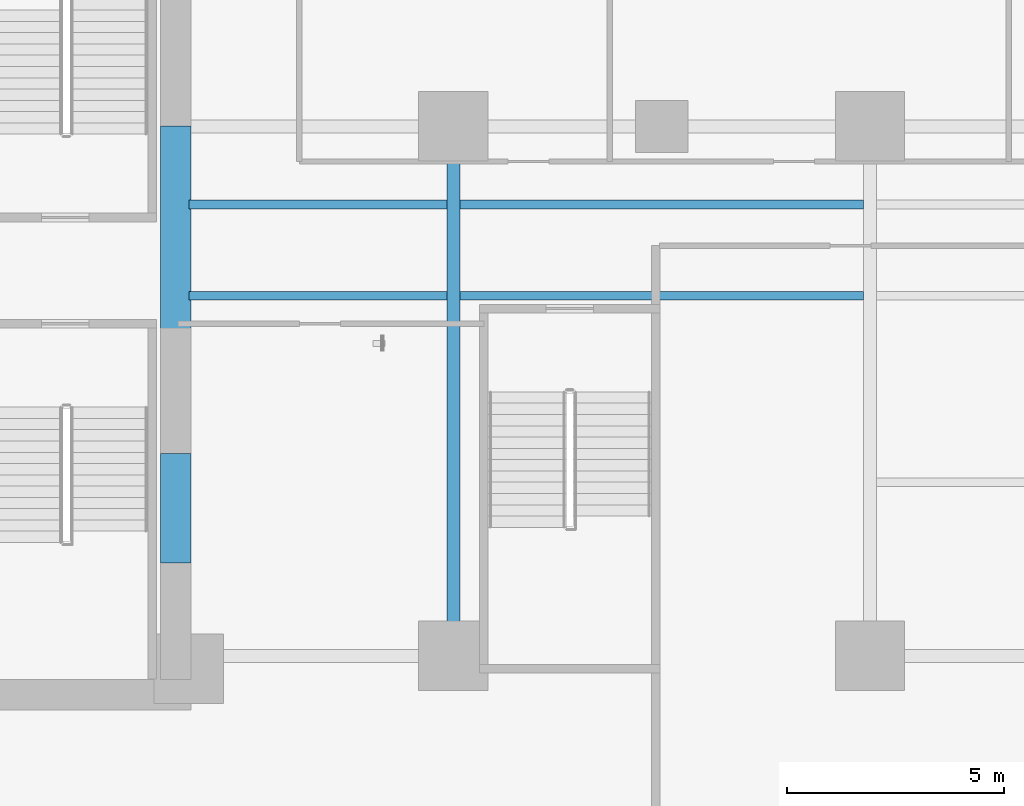
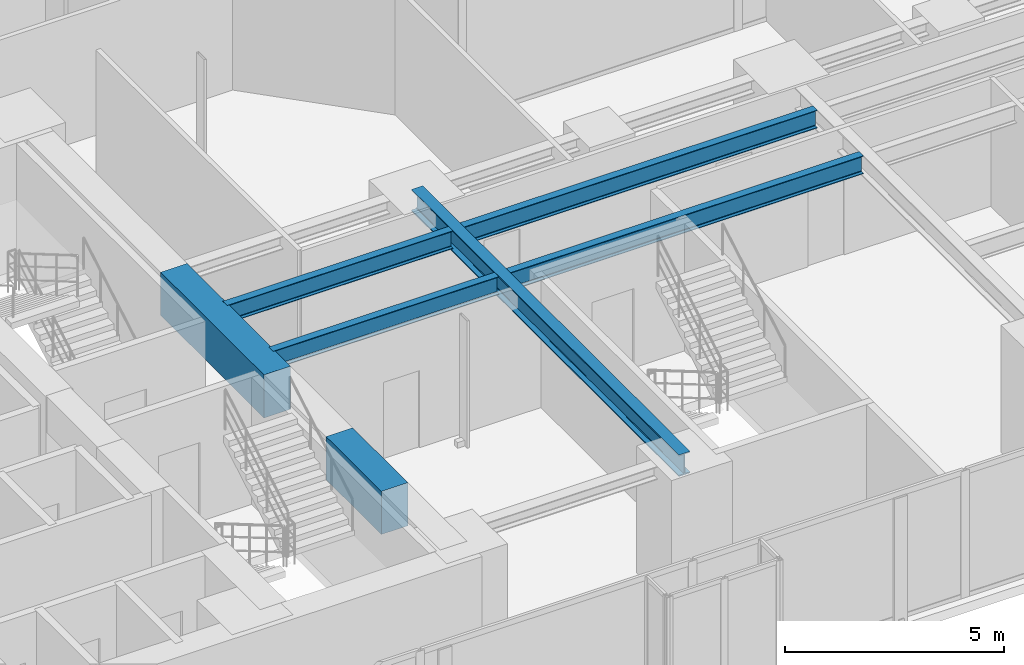
# One storey, part 5 of 26: 7 beams.
"""IFC4 building model written with IfcOpenShell, lengths in metres."""

from ifc_helpers import new_model, si_unit, direction, frame, origin, origin_2d, place, context, subcontext, project, spatial, rectangle, i_section, extrude, material, material_profile, profile_set, type_object, element, save


model = new_model("IFC4")

# Units and contexts
model_context = context("Model", 3, precision=1e-05, world=origin(), true_north=direction((0.0, 1.0)))
body_context = subcontext(model_context, "Body", "Model", "MODEL_VIEW")
ifc_project = project(units=[si_unit("LENGTHUNIT", "METRE"), si_unit("AREAUNIT", "SQUARE_METRE"), si_unit("VOLUMEUNIT", "CUBIC_METRE"), si_unit("PLANEANGLEUNIT", "RADIAN"), si_unit("MASSUNIT", "GRAM", prefix="KILO")], contexts=[model_context])

# Site, building, storey
site_placement = place(None, origin())
site = spatial("IfcSite", under=ifc_project, at=site_placement, CompositionType="ELEMENT")
building_placement = place(site_placement, origin())
building = spatial("IfcBuilding", under=site, at=building_placement, Name="Kolvaren Waterfront Exchange", CompositionType="ELEMENT")
storey_placement = place(building_placement, frame((0.0, 0.0, 44.800048828125)))
storey = spatial("IfcBuildingStorey", under=building, at=storey_placement, Name="L11", CompositionType="ELEMENT", Elevation=44.800048828125)

# Beams
ifc_material_1 = material(Name="Steel S355", Category="steel")
ifc_material_profile_1 = material_profile(ifc_material_1, i_section(OverallWidth=0.300048828125, OverallDepth=0.60009765625, WebThickness=0.015380859375, FlangeThickness=0.030029296875, FilletRadius=0.027099609375, at=origin_2d()), Name="HEB600")
ifc_profile_set_1 = profile_set([ifc_material_profile_1], Name="Steel S355")
beam_type_1 = type_object("IfcBeamType", Name="STR-BM-HEB600", PredefinedType="BEAM", material=ifc_profile_set_1)
beam_1_placement = place(storey_placement, frame((27.199951171875, 5.199951171875, 3.239990234375), z_axis=(0.0, 1.0, 0.0), x_axis=(-1.0, 0.0, 0.0)))
element("IfcBeam", 1, at=beam_1_placement, inside=storey, type_object=beam_type_1, Name="L11 east-arm transverse girder X27", PredefinedType="BEAM", context=body_context, shape_type="SweptSolid", body=[
    extrude(i_section(OverallWidth=0.300048828125, OverallDepth=0.60009765625, WebThickness=0.015380859375, FlangeThickness=0.030029296875, FilletRadius=0.027099609375, at=origin_2d()), origin(), (0.0, 0.0, 1.0), 12.199951171875),
])
ifc_material_profile_2 = material_profile(ifc_material_1, i_section(OverallWidth=0.199951171875, OverallDepth=0.5, WebThickness=0.01025390625, FlangeThickness=0.01611328125, FilletRadius=0.02099609375, at=origin_2d()), Name="IPE500")
ifc_profile_set_2 = profile_set([ifc_material_profile_2], Name="Steel S355")
beam_type_2 = type_object("IfcBeamType", Name="STR-BM-IPE500", PredefinedType="JOIST", material=ifc_profile_set_2)
for number, where, z_axis, x_axis, name in (
    (2, (21.10009765625, 13.5, 3.2900390625), (1.0, 0.0, 0.0), (0.0, 1.0, 0.0), "L11 east-arm composite joist 1A"),
    (3, (21.10009765625, 15.60009765625, 3.2900390625), (1.0, 0.0, 0.0), (0.0, 1.0, 0.0), "L11 east-arm composite joist 1C"),
):
    element("IfcBeam", number, at=place(storey_placement, frame(where, z_axis=z_axis, x_axis=x_axis)), inside=storey, type_object=beam_type_2, Name=name, PredefinedType="JOIST", context=body_context, shape_type="SweptSolid", body=[
        extrude(i_section(OverallWidth=0.199951171875, OverallDepth=0.5, WebThickness=0.01025390625, FlangeThickness=0.01611328125, FilletRadius=0.02099609375, at=origin_2d()), origin(), (0.0, 0.0, 1.0), 5.947998046875),
    ])
for number, where, z_axis, x_axis, name in (
    (4, (27.35205078125, 13.5, 3.2900390625), (1.0, 0.0, 0.0), (0.0, 1.0, 0.0), "L11 east-arm composite joist 2A"),
    (5, (27.35205078125, 15.60009765625, 3.2900390625), (1.0, 0.0, 0.0), (0.0, 1.0, 0.0), "L11 east-arm composite joist 2C"),
):
    element("IfcBeam", number, at=place(storey_placement, frame(where, z_axis=z_axis, x_axis=x_axis)), inside=storey, type_object=beam_type_2, Name=name, PredefinedType="JOIST", context=body_context, shape_type="SweptSolid", body=[
        extrude(i_section(OverallWidth=0.199951171875, OverallDepth=0.5, WebThickness=0.01025390625, FlangeThickness=0.01611328125, FilletRadius=0.02099609375, at=origin_2d()), origin(), (0.0, 0.0, 1.0), 9.2958984375),
    ])
ifc_material_2 = material(Name="Concrete C70/85", Category="concrete")
ifc_material_profile_3 = material_profile(ifc_material_2, rectangle(XDim=0.699951171875, YDim=1.199951171875, at=origin_2d()), Name="RC-CB-1200x700")
ifc_profile_set_3 = profile_set([ifc_material_profile_3], Name="Concrete C70/85")
beam_type_3 = type_object("IfcBeamType", Name="STR-CB-1200", PredefinedType="SPANDREL", material=ifc_profile_set_3)
beam_2_placement = place(storey_placement, frame((20.800048828125, 7.340087890625, 2.93994140625), z_axis=(0.0, 1.0, 0.0), x_axis=(-1.0, 0.0, 0.0)))
element("IfcBeam", 6, at=beam_2_placement, inside=storey, type_object=beam_type_3, Name="L11 core coupling beam 1", PredefinedType="SPANDREL", context=body_context, shape_type="SweptSolid", body=[
    extrude(rectangle(XDim=0.699951171875, YDim=1.199951171875, at=origin_2d()), origin(), (0.0, 0.0, 1.0), 2.52001953125),
])
beam_3_placement = place(storey_placement, frame((20.800048828125, 12.68994140625, 2.93994140625), z_axis=(0.0, 1.0, 0.0), x_axis=(-1.0, 0.0, 0.0)))
element("IfcBeam", 7, at=beam_3_placement, inside=storey, type_object=beam_type_3, Name="L11 core coupling beam 2", PredefinedType="SPANDREL", context=body_context, shape_type="SweptSolid", body=[
    extrude(rectangle(XDim=0.699951171875, YDim=1.199951171875, at=origin_2d()), origin(), (0.0, 0.0, 1.0), 4.719970703125),
])

save(model, "model.ifc")
